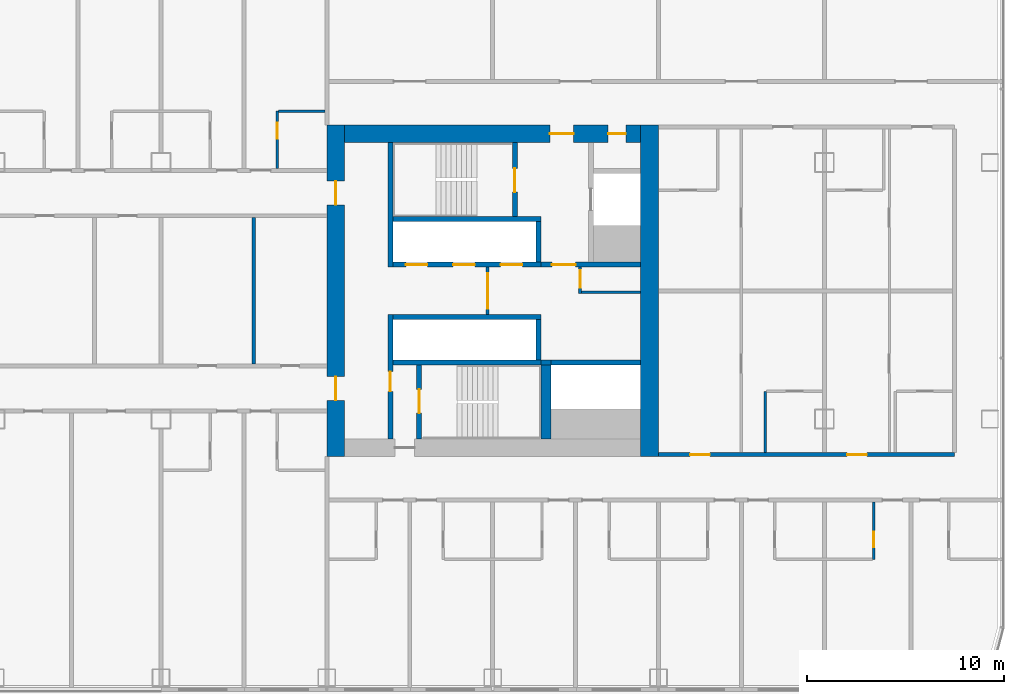
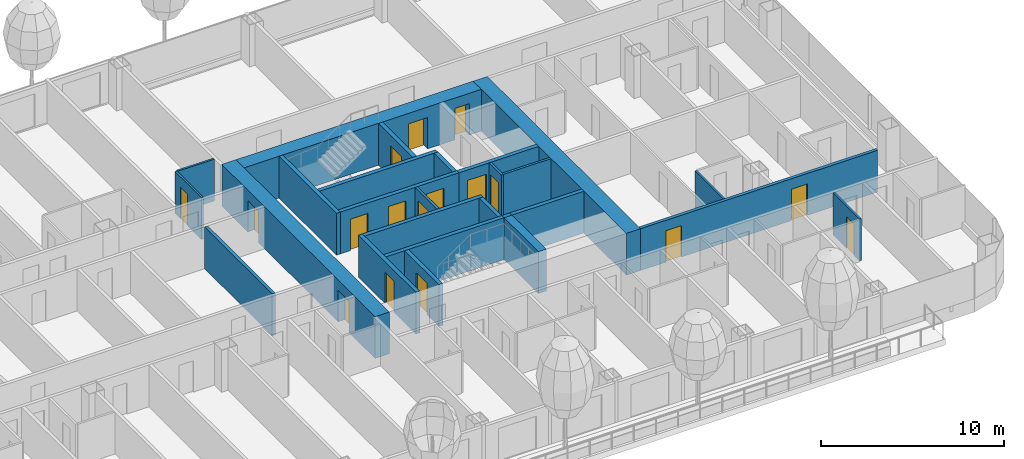
# One storey, part 20 of 37: 26 walls, 17 doors, 17 openings.
"""IFC4 building model written with IfcOpenShell, lengths in metres."""

from ifc_helpers import new_model, si_unit, direction, frame, frame_2d, origin, place, context, subcontext, project, spatial, rectangle, extrude, material, layer, layer_set, type_object, element, fill, save


model = new_model("IFC4")

# Units and contexts
model_context = context("Model", 3, precision=1e-05, world=origin(), true_north=direction((0.0, 1.0)))
body_context = subcontext(model_context, "Body", "Model", "MODEL_VIEW")
ifc_project = project(units=[si_unit("LENGTHUNIT", "METRE"), si_unit("AREAUNIT", "SQUARE_METRE"), si_unit("VOLUMEUNIT", "CUBIC_METRE"), si_unit("PLANEANGLEUNIT", "RADIAN"), si_unit("MASSUNIT", "GRAM", prefix="KILO")], contexts=[model_context])

# Site, building, storey
site_placement = place(None, origin())
site = spatial("IfcSite", under=ifc_project, at=site_placement, CompositionType="ELEMENT")
building_placement = place(site_placement, origin())
building = spatial("IfcBuilding", under=site, at=building_placement, Name="Hakoniwa Tower and Hamabe Station Hall", CompositionType="ELEMENT")
storey_placement = place(building_placement, frame((0.0, 0.0, 39.0)))
storey = spatial("IfcBuildingStorey", under=building, at=storey_placement, Name="L10", CompositionType="ELEMENT", Elevation=39.0)

# Wall
ifc_material_1 = material(Name="Gypsum board partition", Category="gypsum")
ifc_layer_1 = layer(ifc_material_1, 0.125)
ifc_layer_set_1 = layer_set([ifc_layer_1], Name="Bathroom Partition 125")
wall_type_1 = type_object("IfcWallType", Name="Bathroom Partition 125", PredefinedType="PARTITIONING", material=ifc_layer_set_1)
wall_1_placement = place(storey_placement, frame((14.362548828125, 9.10009765625, 0.0), z_axis=(0.0, 0.0, 1.0), x_axis=(1.0, 0.0, 0.0)))
element("IfcWall", 1, at=wall_1_placement, inside=storey, type_object=wall_type_1, Name="GW-L10-037", PredefinedType="PARTITIONING", context=body_context, shape_type="SweptSolid", body=[
    extrude(rectangle(XDim=2.33740234375, YDim=0.125, at=frame_2d((1.168701171875, 0.0))), origin(), (0.0, 0.0, 1.0), 2.800048828125),
])

# Wall, opening, door
wall_2_placement = place(storey_placement, frame((14.300048828125, 6.199951171875, 0.0), z_axis=(0.0, 0.0, 1.0), x_axis=(0.0, 1.0, 0.0)))
wall_2 = element("IfcWall", 2, at=wall_2_placement, inside=storey, type_object=wall_type_1, Name="GW-L10-110", PredefinedType="PARTITIONING", context=body_context, shape_type="SweptSolid", body=[
    extrude(rectangle(XDim=2.900146484375, YDim=0.125, at=frame_2d((1.4501953125, 0.0))), origin(), (0.0, 0.0, 1.0), 2.800048828125),
])
opening_1_placement = place(wall_2_placement, frame((1.5, 0.0, 0.0)))
opening_1 = element("IfcOpeningElement", 3, at=opening_1_placement, cuts=wall_2, Name="Opening GD-G1B1-89", PredefinedType="OPENING", context=body_context, shape_type="SweptSolid", body=[
    extrude(rectangle(XDim=0.800048828125, YDim=2.10009765625, at=frame_2d((0.39990234375, 1.050048828125))), frame((0.0, 0.072509765625, 0.0), z_axis=(0.0, -1.0, 0.0), x_axis=(1.0, 0.0, 0.0)), (0.0, 0.0, 1.0), 0.14501953125),
])
ifc_material_2 = material(Name="Timber door leaf", Category="wood")
door_type_1 = type_object("IfcDoorType", Name="Bathroom Door 800", OperationType="SINGLE_SWING_LEFT", PredefinedType="DOOR", material=ifc_material_2)
door_1_placement = place(opening_1_placement, origin())
door_1 = element("IfcDoor", 4, at=door_1_placement, inside=storey, type_object=door_type_1, Name="Door GD-G1B1-89", OperationType="SINGLE_SWING_RIGHT", OverallHeight=2.10009765625, OverallWidth=0.800048828125, PredefinedType="DOOR", context=body_context, shape_type="SweptSolid", body=[
    extrude(rectangle(XDim=0.800048828125, YDim=2.10009765625, at=frame_2d((0.39990234375, 1.050048828125))), frame((0.0, 0.02490234375, 0.0), z_axis=(0.0, -1.0, 0.0), x_axis=(1.0, 0.0, 0.0)), (0.0, 0.0, 1.0), 0.050048828125),
])
fill(opening_1, door_1)

# Wall
wall_3_placement = place(storey_placement, frame((39.0, -8.199951171875, 0.0), z_axis=(0.0, 0.0, 1.0), x_axis=(0.0, 1.0, 0.0)))
element("IfcWall", 5, at=wall_3_placement, inside=storey, type_object=wall_type_1, Name="GW-L10-127", PredefinedType="PARTITIONING", context=body_context, shape_type="SweptSolid", body=[
    extrude(rectangle(XDim=3.099853515625, YDim=0.125, at=frame_2d((1.5498046875, 0.0))), origin(), (0.0, 0.0, 1.0), 2.800048828125),
])

# Wall, opening, door
wall_4_placement = place(storey_placement, frame((44.5, -13.60009765625, 0.0), z_axis=(0.0, 0.0, 1.0), x_axis=(0.0, 1.0, 0.0)))
wall_4 = element("IfcWall", 6, at=wall_4_placement, inside=storey, type_object=wall_type_1, Name="GW-L10-132", PredefinedType="PARTITIONING", context=body_context, shape_type="SweptSolid", body=[
    extrude(rectangle(XDim=2.900146484375, YDim=0.125, at=frame_2d((1.4501953125, 0.0))), origin(), (0.0, 0.0, 1.0), 2.800048828125),
])
opening_2_placement = place(wall_4_placement, frame((0.60009765625, 0.0, 0.0)))
opening_2 = element("IfcOpeningElement", 7, at=opening_2_placement, cuts=wall_4, Name="Opening GD-G1B1-98", PredefinedType="OPENING", context=body_context, shape_type="SweptSolid", body=[
    extrude(rectangle(XDim=0.800048828125, YDim=2.10009765625, at=frame_2d((0.39990234375, 1.050048828125))), frame((0.0, 0.072509765625, 0.0), z_axis=(0.0, -1.0, 0.0), x_axis=(1.0, 0.0, 0.0)), (0.0, 0.0, 1.0), 0.14501953125),
])
door_2_placement = place(opening_2_placement, origin())
door_2 = element("IfcDoor", 8, at=door_2_placement, inside=storey, type_object=door_type_1, Name="Door GD-G1B1-98", OperationType="SINGLE_SWING_RIGHT", OverallHeight=2.10009765625, OverallWidth=0.800048828125, PredefinedType="DOOR", context=body_context, shape_type="SweptSolid", body=[
    extrude(rectangle(XDim=0.800048828125, YDim=2.10009765625, at=frame_2d((0.39990234375, 1.050048828125))), frame((0.0, 0.02490234375, 0.0), z_axis=(0.0, -1.0, 0.0), x_axis=(1.0, 0.0, 0.0)), (0.0, 0.0, 1.0), 0.050048828125),
])
fill(opening_2, door_2)

ifc_material_3 = material(Name="Gypsum board partition")
ifc_layer_2 = layer(ifc_material_3, 0.14990234375)
ifc_layer_set_2 = layer_set([ifc_layer_2], Name="CORE PARTITION 150 EI 60")
wall_type_2 = type_object("IfcWallType", Name="CORE PARTITION 150 EI 60", PredefinedType="PARTITIONING", material=ifc_layer_set_2)
wall_5_placement = place(storey_placement, frame((24.949951171875, -1.199951171875, 0.0), z_axis=(0.0, 0.0, 1.0), x_axis=(0.0, 1.0, 0.0)))
wall_5 = element("IfcWall", 9, at=wall_5_placement, inside=storey, type_object=wall_type_2, Name="Core partition PL0 east", PredefinedType="PARTITIONING", context=body_context, shape_type="SweptSolid", body=[
    extrude(rectangle(XDim=2.39990234375, YDim=0.14990234375, at=frame_2d((1.199951171875, 0.0))), origin(), (0.0, 0.0, 1.0), 2.800048828125),
])
opening_3_placement = place(wall_5_placement, frame((0.300048828125, 0.0, 0.0)))
opening_3 = element("IfcOpeningElement", 10, at=opening_3_placement, cuts=wall_5, Name="Opening CD-E-LP0-18", PredefinedType="OPENING", context=body_context, shape_type="SweptSolid", body=[
    extrude(rectangle(XDim=1.800048828125, YDim=2.10009765625, at=frame_2d((0.89990234375, 1.050048828125))), frame((0.0, 0.0849609375, 0.0), z_axis=(0.0, -1.0, 0.0), x_axis=(1.0, 0.0, 0.0)), (0.0, 0.0, 1.0), 0.169921875),
])
ifc_material_4 = material(Name="Steel fire door", Category="steel")
door_type_2 = type_object("IfcDoorType", Name="CORE DOOR 1800 FD60", OperationType="DOUBLE_DOOR_SINGLE_SWING", PredefinedType="DOOR", material=ifc_material_4)
door_3_placement = place(opening_3_placement, origin())
door_3 = element("IfcDoor", 11, at=door_3_placement, inside=storey, type_object=door_type_2, Name="Lift lobby partition door", OperationType="DOUBLE_DOOR_SINGLE_SWING", OverallHeight=2.10009765625, OverallWidth=1.800048828125, PredefinedType="DOOR", context=body_context, shape_type="SweptSolid", body=[
    extrude(rectangle(XDim=1.800048828125, YDim=2.10009765625, at=frame_2d((0.89990234375, 1.050048828125))), frame((0.0, 0.02490234375, 0.0), z_axis=(0.0, -1.0, 0.0), x_axis=(1.0, 0.0, 0.0)), (0.0, 0.0, 1.0), 0.050048828125),
])
fill(opening_3, door_3)

wall_6_placement = place(storey_placement, frame((29.625, -0.14990234375, 0.0), z_axis=(0.0, 0.0, 1.0), x_axis=(0.0, 1.0, 0.0)))
wall_6 = element("IfcWall", 12, at=wall_6_placement, inside=storey, type_object=wall_type_2, Name="Core partition PW0 east", PredefinedType="PARTITIONING", context=body_context, shape_type="SweptSolid", body=[
    extrude(rectangle(XDim=1.349853515625, YDim=0.14990234375, at=frame_2d((0.6748046875, 0.0))), origin(), (0.0, 0.0, 1.0), 2.800048828125),
])
opening_4_placement = place(wall_6_placement, frame((0.300048828125, 0.0, 0.0)))
opening_4 = element("IfcOpeningElement", 13, at=opening_4_placement, cuts=wall_6, Name="Opening CD-E-RM1-9", PredefinedType="OPENING", context=body_context, shape_type="SweptSolid", body=[
    extrude(rectangle(XDim=0.89990234375, YDim=2.10009765625, at=frame_2d((0.449951171875, 1.050048828125))), frame((0.0, 0.0849609375, 0.0), z_axis=(0.0, -1.0, 0.0), x_axis=(1.0, 0.0, 0.0)), (0.0, 0.0, 1.0), 0.169921875),
])
ifc_material_5 = material(Name="Steel fire door", Category="steel")
door_type_3 = type_object("IfcDoorType", Name="CORE DOOR 900 FD30", OperationType="NOTDEFINED", PredefinedType="DOOR", material=ifc_material_5)
door_4_placement = place(opening_4_placement, origin())
door_4 = element("IfcDoor", 14, at=door_4_placement, inside=storey, type_object=door_type_3, Name="Store room door", OperationType="SINGLE_SWING_LEFT", OverallHeight=2.10009765625, OverallWidth=0.89990234375, PredefinedType="DOOR", context=body_context, shape_type="SweptSolid", body=[
    extrude(rectangle(XDim=0.89990234375, YDim=2.10009765625, at=frame_2d((0.449951171875, 1.050048828125))), frame((0.0, 0.02490234375, 0.0), z_axis=(0.0, -1.0, 0.0), x_axis=(1.0, 0.0, 0.0)), (0.0, 0.0, 1.0), 0.050048828125),
])
fill(opening_4, door_4)

# Wall
wall_7_placement = place(storey_placement, frame((29.699951171875, -0.074951171875, 0.0), z_axis=(0.0, 0.0, 1.0), x_axis=(1.0, 0.0, 0.0)))
element("IfcWall", 15, at=wall_7_placement, inside=storey, type_object=wall_type_2, Name="Core partition PS east", PredefinedType="PARTITIONING", context=body_context, shape_type="SweptSolid", body=[
    extrude(rectangle(XDim=3.0, YDim=0.14990234375, at=frame_2d((1.5, 0.0))), origin(), (0.0, 0.0, 1.0), 2.800048828125),
])

# Wall, openings, doors
ifc_material_6 = material(Name="Concrete C80", Category="concrete")
ifc_layer_3 = layer(ifc_material_6, 0.89990234375)
ifc_layer_set_3 = layer_set([ifc_layer_3], Name="CORE WALL 900 C80")
wall_type_3 = type_object("IfcWallType", Name="CORE WALL 900 C80", PredefinedType="SHEAR", material=ifc_layer_set_3)
wall_8_placement = place(storey_placement, frame((17.25, -8.39990234375, 0.0), z_axis=(0.0, 0.0, 1.0), x_axis=(0.0, 1.0, 0.0)))
wall_8 = element("IfcWall", 16, at=wall_8_placement, inside=storey, type_object=wall_type_3, Name="Core wall INNER east", PredefinedType="SHEAR", context=body_context, shape_type="SweptSolid", body=[
    extrude(rectangle(XDim=16.7998046875, YDim=0.89990234375, at=frame_2d((8.39990234375, 0.0))), origin(), (0.0, 0.0, 1.0), 2.800048828125),
])
opening_5_placement = place(wall_8_placement, frame((12.75, 0.0, 0.0)))
opening_5 = element("IfcOpeningElement", 17, at=opening_5_placement, cuts=wall_8, Name="Opening CD-E-IN1-12", PredefinedType="OPENING", context=body_context, shape_type="SweptSolid", body=[
    extrude(rectangle(XDim=1.199951171875, YDim=2.10009765625, at=frame_2d((0.60009765625, 1.050048828125))), frame((0.0, 0.4599609375, 0.0), z_axis=(0.0, -1.0, 0.0), x_axis=(1.0, 0.0, 0.0)), (0.0, 0.0, 1.0), 0.919921875),
])
opening_6_placement = place(wall_8_placement, frame((2.85009765625, 0.0, 0.0)))
opening_6 = element("IfcOpeningElement", 18, at=opening_6_placement, cuts=wall_8, Name="Opening CD-E-IN2-12", PredefinedType="OPENING", context=body_context, shape_type="SweptSolid", body=[
    extrude(rectangle(XDim=1.199951171875, YDim=2.10009765625, at=frame_2d((0.60009765625, 1.050048828125))), frame((0.0, 0.4599609375, 0.0), z_axis=(0.0, -1.0, 0.0), x_axis=(1.0, 0.0, 0.0)), (0.0, 0.0, 1.0), 0.919921875),
])
ifc_material_7 = material(Name="Steel fire door", Category="steel")
door_type_4 = type_object("IfcDoorType", Name="CORE DOOR 1200 FD60", OperationType="DOUBLE_DOOR_SINGLE_SWING", PredefinedType="DOOR", material=ifc_material_7)
door_5_placement = place(opening_5_placement, origin())
door_5 = element("IfcDoor", 19, at=door_5_placement, inside=storey, type_object=door_type_4, Name="Lift lobby door", OperationType="DOUBLE_DOOR_SINGLE_SWING", OverallHeight=2.10009765625, OverallWidth=1.199951171875, PredefinedType="DOOR", context=body_context, shape_type="SweptSolid", body=[
    extrude(rectangle(XDim=1.199951171875, YDim=2.10009765625, at=frame_2d((0.60009765625, 1.050048828125))), frame((0.0, 0.02490234375, 0.0), z_axis=(0.0, -1.0, 0.0), x_axis=(1.0, 0.0, 0.0)), (0.0, 0.0, 1.0), 0.050048828125),
])
fill(opening_5, door_5)
door_6_placement = place(opening_6_placement, origin())
door_6 = element("IfcDoor", 20, at=door_6_placement, inside=storey, type_object=door_type_4, Name="Lift lobby door", OperationType="DOUBLE_DOOR_SINGLE_SWING", OverallHeight=2.10009765625, OverallWidth=1.199951171875, PredefinedType="DOOR", context=body_context, shape_type="SweptSolid", body=[
    extrude(rectangle(XDim=1.199951171875, YDim=2.10009765625, at=frame_2d((0.60009765625, 1.050048828125))), frame((0.0, 0.02490234375, 0.0), z_axis=(0.0, -1.0, 0.0), x_axis=(1.0, 0.0, 0.0)), (0.0, 0.0, 1.0), 0.050048828125),
])
fill(opening_6, door_6)

# Wall
wall_9_placement = place(storey_placement, frame((33.14990234375, -8.39990234375, 0.0), z_axis=(0.0, 0.0, 1.0), x_axis=(0.0, 1.0, 0.0)))
element("IfcWall", 21, at=wall_9_placement, inside=storey, type_object=wall_type_3, Name="Core wall OUTER east", PredefinedType="SHEAR", context=body_context, shape_type="SweptSolid", body=[
    extrude(rectangle(XDim=16.7998046875, YDim=0.89990234375, at=frame_2d((8.39990234375, 0.0))), origin(), (0.0, 0.0, 1.0), 2.800048828125),
])

# Wall, openings, doors
wall_10_placement = place(storey_placement, frame((17.699951171875, 7.949951171875, 0.0), z_axis=(0.0, 0.0, 1.0), x_axis=(1.0, 0.0, 0.0)))
wall_10 = element("IfcWall", 22, at=wall_10_placement, inside=storey, type_object=wall_type_3, Name="Core wall NORTH east", PredefinedType="SHEAR", context=body_context, shape_type="SweptSolid", body=[
    extrude(rectangle(XDim=15.0, YDim=0.89990234375, at=frame_2d((7.5, 0.0))), origin(), (0.0, 0.0, 1.0), 2.800048828125),
])
opening_7_placement = place(wall_10_placement, frame((10.39990234375, 0.0, 0.0)))
opening_7 = element("IfcOpeningElement", 23, at=opening_7_placement, cuts=wall_10, Name="Opening CD-E-FN1-12", PredefinedType="OPENING", context=body_context, shape_type="SweptSolid", body=[
    extrude(rectangle(XDim=1.199951171875, YDim=2.10009765625, at=frame_2d((0.60009765625, 1.050048828125))), frame((0.0, 0.4599609375, 0.0), z_axis=(0.0, -1.0, 0.0), x_axis=(1.0, 0.0, 0.0)), (0.0, 0.0, 1.0), 0.919921875),
])
opening_8_placement = place(wall_10_placement, frame((13.35009765625, 0.0, 0.0)))
opening_8 = element("IfcOpeningElement", 24, at=opening_8_placement, cuts=wall_10, Name="Opening CD-E-FN2-9", PredefinedType="OPENING", context=body_context, shape_type="SweptSolid", body=[
    extrude(rectangle(XDim=0.89990234375, YDim=2.10009765625, at=frame_2d((0.449951171875, 1.050048828125))), frame((0.0, 0.4599609375, 0.0), z_axis=(0.0, -1.0, 0.0), x_axis=(1.0, 0.0, 0.0)), (0.0, 0.0, 1.0), 0.919921875),
])
door_7_placement = place(opening_7_placement, origin())
door_7 = element("IfcDoor", 25, at=door_7_placement, inside=storey, type_object=door_type_4, Name="Stair vestibule door to the fire-fighting lobby", OperationType="DOUBLE_DOOR_SINGLE_SWING", OverallHeight=2.10009765625, OverallWidth=1.199951171875, PredefinedType="DOOR", context=body_context, shape_type="SweptSolid", body=[
    extrude(rectangle(XDim=1.199951171875, YDim=2.10009765625, at=frame_2d((0.60009765625, 1.050048828125))), frame((0.0, 0.02490234375, 0.0), z_axis=(0.0, -1.0, 0.0), x_axis=(1.0, 0.0, 0.0)), (0.0, 0.0, 1.0), 0.050048828125),
])
fill(opening_7, door_7)
door_8_placement = place(opening_8_placement, origin())
door_8 = element("IfcDoor", 26, at=door_8_placement, inside=storey, type_object=door_type_3, Name="Riser access door", OperationType="SINGLE_SWING_LEFT", OverallHeight=2.10009765625, OverallWidth=0.89990234375, PredefinedType="DOOR", context=body_context, shape_type="SweptSolid", body=[
    extrude(rectangle(XDim=0.89990234375, YDim=2.10009765625, at=frame_2d((0.449951171875, 1.050048828125))), frame((0.0, 0.02490234375, 0.0), z_axis=(0.0, -1.0, 0.0), x_axis=(1.0, 0.0, 0.0)), (0.0, 0.0, 1.0), 0.050048828125),
])
fill(opening_8, door_8)

# Wall
ifc_material_8 = material(Name="Concrete C80", Category="concrete")
ifc_layer_4 = layer(ifc_material_8, 0.25)
ifc_layer_set_4 = layer_set([ifc_layer_4], Name="CORE WEB WALL 250 C80")
wall_type_4 = type_object("IfcWallType", Name="CORE WEB WALL 250 C80", PredefinedType="SHEAR", material=ifc_layer_set_4)
wall_11_placement = place(storey_placement, frame((20.02490234375, 1.199951171875, 0.0), z_axis=(0.0, 0.0, 1.0), x_axis=(0.0, 1.0, 0.0)))
element("IfcWall", 27, at=wall_11_placement, inside=storey, type_object=wall_type_4, Name="Core wall W1N east", PredefinedType="SHEAR", context=body_context, shape_type="SweptSolid", body=[
    extrude(rectangle(XDim=6.300048828125, YDim=0.25, at=frame_2d((3.14990234375, 0.0))), origin(), (0.0, 0.0, 1.0), 2.800048828125),
])

# Wall, opening, door
wall_12_placement = place(storey_placement, frame((20.02490234375, -7.5, 0.0), z_axis=(0.0, 0.0, 1.0), x_axis=(0.0, 1.0, 0.0)))
wall_12 = element("IfcWall", 28, at=wall_12_placement, inside=storey, type_object=wall_type_4, Name="Core wall W1S east", PredefinedType="SHEAR", context=body_context, shape_type="SweptSolid", body=[
    extrude(rectangle(XDim=6.300048828125, YDim=0.25, at=frame_2d((3.14990234375, 0.0))), origin(), (0.0, 0.0, 1.0), 2.800048828125),
])
opening_9_placement = place(wall_12_placement, frame((2.39990234375, 0.0, 0.0)))
opening_9 = element("IfcOpeningElement", 29, at=opening_9_placement, cuts=wall_12, Name="Opening CD-E-VS-10", PredefinedType="OPENING", context=body_context, shape_type="SweptSolid", body=[
    extrude(rectangle(XDim=1.0, YDim=2.10009765625, at=frame_2d((0.5, 1.050048828125))), frame((0.0, 0.135009765625, 0.0), z_axis=(0.0, -1.0, 0.0), x_axis=(1.0, 0.0, 0.0)), (0.0, 0.0, 1.0), 0.27001953125),
])
ifc_material_9 = material(Name="Steel fire door", Category="steel")
door_type_5 = type_object("IfcDoorType", Name="CORE DOOR 1000 FD60", OperationType="NOTDEFINED", PredefinedType="DOOR", material=ifc_material_9)
door_9_placement = place(opening_9_placement, origin())
door_9 = element("IfcDoor", 30, at=door_9_placement, inside=storey, type_object=door_type_5, Name="Stair vestibule door", OperationType="SINGLE_SWING_RIGHT", OverallHeight=2.10009765625, OverallWidth=1.0, PredefinedType="DOOR", context=body_context, shape_type="SweptSolid", body=[
    extrude(rectangle(XDim=1.0, YDim=2.10009765625, at=frame_2d((0.5, 1.050048828125))), frame((0.0, 0.02490234375, 0.0), z_axis=(0.0, -1.0, 0.0), x_axis=(1.0, 0.0, 0.0)), (0.0, 0.0, 1.0), 0.050048828125),
])
fill(opening_9, door_9)

# Wall, openings, doors
wall_13_placement = place(storey_placement, frame((20.14990234375, 1.324951171875, 0.0), z_axis=(0.0, 0.0, 1.0), x_axis=(1.0, 0.0, 0.0)))
wall_13 = element("IfcWall", 31, at=wall_13_placement, inside=storey, type_object=wall_type_4, Name="Core wall NF east", PredefinedType="SHEAR", context=body_context, shape_type="SweptSolid", body=[
    extrude(rectangle(XDim=7.5, YDim=0.25, at=frame_2d((3.75, 0.0))), origin(), (0.0, 0.0, 1.0), 2.800048828125),
])
opening_10_placement = place(wall_13_placement, frame((0.64990234375, 0.0, 0.0)))
opening_10 = element("IfcOpeningElement", 32, at=opening_10_placement, cuts=wall_13, Name="Opening LD-LR4", PredefinedType="OPENING", context=body_context, shape_type="SweptSolid", body=[
    extrude(rectangle(XDim=1.10009765625, YDim=2.10009765625, at=frame_2d((0.550048828125, 1.050048828125))), frame((0.0, 0.135009765625, 0.0), z_axis=(0.0, -1.0, 0.0), x_axis=(1.0, 0.0, 0.0)), (0.0, 0.0, 1.0), 0.27001953125),
])
opening_11_placement = place(wall_13_placement, frame((3.050048828125, 0.0, 0.0)))
opening_11 = element("IfcOpeningElement", 33, at=opening_11_placement, cuts=wall_13, Name="Opening LD-LR5", PredefinedType="OPENING", context=body_context, shape_type="SweptSolid", body=[
    extrude(rectangle(XDim=1.10009765625, YDim=2.10009765625, at=frame_2d((0.550048828125, 1.050048828125))), frame((0.0, 0.135009765625, 0.0), z_axis=(0.0, -1.0, 0.0), x_axis=(1.0, 0.0, 0.0)), (0.0, 0.0, 1.0), 0.27001953125),
])
opening_12_placement = place(wall_13_placement, frame((5.449951171875, 0.0, 0.0)))
opening_12 = element("IfcOpeningElement", 34, at=opening_12_placement, cuts=wall_13, Name="Opening LD-LR6", PredefinedType="OPENING", context=body_context, shape_type="SweptSolid", body=[
    extrude(rectangle(XDim=1.10009765625, YDim=2.10009765625, at=frame_2d((0.550048828125, 1.050048828125))), frame((0.0, 0.135009765625, 0.0), z_axis=(0.0, -1.0, 0.0), x_axis=(1.0, 0.0, 0.0)), (0.0, 0.0, 1.0), 0.27001953125),
])
ifc_material_10 = material(Name="Stainless steel SUS304", Category="steel")
door_type_6 = type_object("IfcDoorType", Name="LIFT LANDING DOOR 1100 FD60", OperationType="DOUBLE_DOOR_SLIDING", PredefinedType="DOOR", material=ifc_material_10)
door_10_placement = place(opening_10_placement, origin())
door_10 = element("IfcDoor", 35, at=door_10_placement, inside=storey, type_object=door_type_6, Name="Lift landing door LR4 L10", OperationType="DOUBLE_DOOR_SLIDING", OverallHeight=2.10009765625, OverallWidth=1.10009765625, PredefinedType="DOOR", context=body_context, shape_type="SweptSolid", body=[
    extrude(rectangle(XDim=1.10009765625, YDim=2.10009765625, at=frame_2d((0.550048828125, 1.050048828125))), frame((0.0, 0.02490234375, 0.0), z_axis=(0.0, -1.0, 0.0), x_axis=(1.0, 0.0, 0.0)), (0.0, 0.0, 1.0), 0.050048828125),
])
fill(opening_10, door_10)
door_11_placement = place(opening_11_placement, origin())
door_11 = element("IfcDoor", 36, at=door_11_placement, inside=storey, type_object=door_type_6, Name="Lift landing door LR5 L10", OperationType="DOUBLE_DOOR_SLIDING", OverallHeight=2.10009765625, OverallWidth=1.10009765625, PredefinedType="DOOR", context=body_context, shape_type="SweptSolid", body=[
    extrude(rectangle(XDim=1.10009765625, YDim=2.10009765625, at=frame_2d((0.550048828125, 1.050048828125))), frame((0.0, 0.02490234375, 0.0), z_axis=(0.0, -1.0, 0.0), x_axis=(1.0, 0.0, 0.0)), (0.0, 0.0, 1.0), 0.050048828125),
])
fill(opening_11, door_11)
door_12_placement = place(opening_12_placement, origin())
door_12 = element("IfcDoor", 37, at=door_12_placement, inside=storey, type_object=door_type_6, Name="Lift landing door LR6 L10", OperationType="DOUBLE_DOOR_SLIDING", OverallHeight=2.10009765625, OverallWidth=1.10009765625, PredefinedType="DOOR", context=body_context, shape_type="SweptSolid", body=[
    extrude(rectangle(XDim=1.10009765625, YDim=2.10009765625, at=frame_2d((0.550048828125, 1.050048828125))), frame((0.0, 0.02490234375, 0.0), z_axis=(0.0, -1.0, 0.0), x_axis=(1.0, 0.0, 0.0)), (0.0, 0.0, 1.0), 0.050048828125),
])
fill(opening_12, door_12)

# Walls
wall_14_placement = place(storey_placement, frame((27.52490234375, 1.449951171875, 0.0), z_axis=(0.0, 0.0, 1.0), x_axis=(0.0, 1.0, 0.0)))
element("IfcWall", 38, at=wall_14_placement, inside=storey, type_object=wall_type_4, Name="Core wall NE east", PredefinedType="SHEAR", context=body_context, shape_type="SweptSolid", body=[
    extrude(rectangle(XDim=2.050048828125, YDim=0.25, at=frame_2d((1.02490234375, 0.0))), origin(), (0.0, 0.0, 1.0), 2.800048828125),
])
wall_15_placement = place(storey_placement, frame((20.14990234375, 3.625, 0.0), z_axis=(0.0, 0.0, 1.0), x_axis=(1.0, 0.0, 0.0)))
element("IfcWall", 39, at=wall_15_placement, inside=storey, type_object=wall_type_4, Name="Core wall NR east", PredefinedType="SHEAR", context=body_context, shape_type="SweptSolid", body=[
    extrude(rectangle(XDim=7.5, YDim=0.25, at=frame_2d((3.75, 0.0))), origin(), (0.0, 0.0, 1.0), 2.800048828125),
])

# Wall, opening, door
wall_16_placement = place(storey_placement, frame((26.324951171875, 3.75, 0.0), z_axis=(0.0, 0.0, 1.0), x_axis=(0.0, 1.0, 0.0)))
wall_16 = element("IfcWall", 40, at=wall_16_placement, inside=storey, type_object=wall_type_4, Name="Core wall NSE east", PredefinedType="SHEAR", context=body_context, shape_type="SweptSolid", body=[
    extrude(rectangle(XDim=3.75, YDim=0.25, at=frame_2d((1.875, 0.0))), origin(), (0.0, 0.0, 1.0), 2.800048828125),
])
opening_13_placement = place(wall_16_placement, frame((1.25, 0.0, 0.0)))
opening_13 = element("IfcOpeningElement", 41, at=opening_13_placement, cuts=wall_16, Name="Opening CD-E-SN-12", PredefinedType="OPENING", context=body_context, shape_type="SweptSolid", body=[
    extrude(rectangle(XDim=1.199951171875, YDim=2.10009765625, at=frame_2d((0.60009765625, 1.050048828125))), frame((0.0, 0.135009765625, 0.0), z_axis=(0.0, -1.0, 0.0), x_axis=(1.0, 0.0, 0.0)), (0.0, 0.0, 1.0), 0.27001953125),
])
door_13_placement = place(opening_13_placement, origin())
door_13 = element("IfcDoor", 42, at=door_13_placement, inside=storey, type_object=door_type_4, Name="Escape stair door", OperationType="DOUBLE_DOOR_SINGLE_SWING", OverallHeight=2.10009765625, OverallWidth=1.199951171875, PredefinedType="DOOR", context=body_context, shape_type="SweptSolid", body=[
    extrude(rectangle(XDim=1.199951171875, YDim=2.10009765625, at=frame_2d((0.60009765625, 1.050048828125))), frame((0.0, 0.02490234375, 0.0), z_axis=(0.0, -1.0, 0.0), x_axis=(1.0, 0.0, 0.0)), (0.0, 0.0, 1.0), 0.050048828125),
])
fill(opening_13, door_13)

wall_17_placement = place(storey_placement, frame((27.64990234375, 1.324951171875, 0.0), z_axis=(0.0, 0.0, 1.0), x_axis=(1.0, 0.0, 0.0)))
wall_17 = element("IfcWall", 43, at=wall_17_placement, inside=storey, type_object=wall_type_4, Name="Core wall ELN east", PredefinedType="SHEAR", context=body_context, shape_type="SweptSolid", body=[
    extrude(rectangle(XDim=5.050048828125, YDim=0.25, at=frame_2d((2.52490234375, 0.0))), origin(), (0.0, 0.0, 1.0), 2.800048828125),
])
opening_14_placement = place(wall_17_placement, frame((0.550048828125, 0.0, 0.0)))
opening_14 = element("IfcOpeningElement", 44, at=opening_14_placement, cuts=wall_17, Name="Opening CD-E-FL-12", PredefinedType="OPENING", context=body_context, shape_type="SweptSolid", body=[
    extrude(rectangle(XDim=1.199951171875, YDim=2.10009765625, at=frame_2d((0.60009765625, 1.050048828125))), frame((0.0, 0.135009765625, 0.0), z_axis=(0.0, -1.0, 0.0), x_axis=(1.0, 0.0, 0.0)), (0.0, 0.0, 1.0), 0.27001953125),
])
door_14_placement = place(opening_14_placement, origin())
door_14 = element("IfcDoor", 45, at=door_14_placement, inside=storey, type_object=door_type_4, Name="Stair vestibule door to the fire-fighting lobby", OperationType="DOUBLE_DOOR_SINGLE_SWING", OverallHeight=2.10009765625, OverallWidth=1.199951171875, PredefinedType="DOOR", context=body_context, shape_type="SweptSolid", body=[
    extrude(rectangle(XDim=1.199951171875, YDim=2.10009765625, at=frame_2d((0.60009765625, 1.050048828125))), frame((0.0, 0.02490234375, 0.0), z_axis=(0.0, -1.0, 0.0), x_axis=(1.0, 0.0, 0.0)), (0.0, 0.0, 1.0), 0.050048828125),
])
fill(opening_14, door_14)

# Walls
wall_18_placement = place(storey_placement, frame((20.14990234375, -1.324951171875, 0.0), z_axis=(0.0, 0.0, 1.0), x_axis=(1.0, 0.0, 0.0)))
element("IfcWall", 46, at=wall_18_placement, inside=storey, type_object=wall_type_4, Name="Core wall SF east", PredefinedType="SHEAR", context=body_context, shape_type="SweptSolid", body=[
    extrude(rectangle(XDim=7.5, YDim=0.25, at=frame_2d((3.75, 0.0))), origin(), (0.0, 0.0, 1.0), 2.800048828125),
])
wall_19_placement = place(storey_placement, frame((27.52490234375, -3.5, 0.0), z_axis=(0.0, 0.0, 1.0), x_axis=(0.0, 1.0, 0.0)))
element("IfcWall", 47, at=wall_19_placement, inside=storey, type_object=wall_type_4, Name="Core wall SE east", PredefinedType="SHEAR", context=body_context, shape_type="SweptSolid", body=[
    extrude(rectangle(XDim=2.050048828125, YDim=0.25, at=frame_2d((1.02490234375, 0.0))), origin(), (0.0, 0.0, 1.0), 2.800048828125),
])
wall_20_placement = place(storey_placement, frame((20.14990234375, -3.625, 0.0), z_axis=(0.0, 0.0, 1.0), x_axis=(1.0, 0.0, 0.0)))
element("IfcWall", 48, at=wall_20_placement, inside=storey, type_object=wall_type_4, Name="Core wall SR east", PredefinedType="SHEAR", context=body_context, shape_type="SweptSolid", body=[
    extrude(rectangle(XDim=7.5, YDim=0.25, at=frame_2d((3.75, 0.0))), origin(), (0.0, 0.0, 1.0), 2.800048828125),
])

# Wall, opening, door
wall_21_placement = place(storey_placement, frame((21.47509765625, -7.5, 0.0), z_axis=(0.0, 0.0, 1.0), x_axis=(0.0, 1.0, 0.0)))
wall_21 = element("IfcWall", 49, at=wall_21_placement, inside=storey, type_object=wall_type_4, Name="Core wall VE east", PredefinedType="SHEAR", context=body_context, shape_type="SweptSolid", body=[
    extrude(rectangle(XDim=3.75, YDim=0.25, at=frame_2d((1.875, 0.0))), origin(), (0.0, 0.0, 1.0), 2.800048828125),
])
opening_15_placement = place(wall_21_placement, frame((1.300048828125, 0.0, 0.0)))
opening_15 = element("IfcOpeningElement", 50, at=opening_15_placement, cuts=wall_21, Name="Opening CD-E-SS-12", PredefinedType="OPENING", context=body_context, shape_type="SweptSolid", body=[
    extrude(rectangle(XDim=1.199951171875, YDim=2.10009765625, at=frame_2d((0.60009765625, 1.050048828125))), frame((0.0, 0.135009765625, 0.0), z_axis=(0.0, -1.0, 0.0), x_axis=(1.0, 0.0, 0.0)), (0.0, 0.0, 1.0), 0.27001953125),
])
door_15_placement = place(opening_15_placement, origin())
door_15 = element("IfcDoor", 51, at=door_15_placement, inside=storey, type_object=door_type_4, Name="Escape stair door", OperationType="DOUBLE_DOOR_SINGLE_SWING", OverallHeight=2.10009765625, OverallWidth=1.199951171875, PredefinedType="DOOR", context=body_context, shape_type="SweptSolid", body=[
    extrude(rectangle(XDim=1.199951171875, YDim=2.10009765625, at=frame_2d((0.60009765625, 1.050048828125))), frame((0.0, 0.02490234375, 0.0), z_axis=(0.0, -1.0, 0.0), x_axis=(1.0, 0.0, 0.0)), (0.0, 0.0, 1.0), 0.050048828125),
])
fill(opening_15, door_15)

# Walls
wall_22_placement = place(storey_placement, frame((28.14990234375, -3.625, 0.0), z_axis=(0.0, 0.0, 1.0), x_axis=(1.0, 0.0, 0.0)))
element("IfcWall", 52, at=wall_22_placement, inside=storey, type_object=wall_type_4, Name="Core wall SEF east", PredefinedType="SHEAR", context=body_context, shape_type="SweptSolid", body=[
    extrude(rectangle(XDim=4.550048828125, YDim=0.25, at=frame_2d((2.27490234375, 0.0))), origin(), (0.0, 0.0, 1.0), 2.800048828125),
])
wall_23_placement = place(storey_placement, frame((27.64990234375, -3.625, 0.0), z_axis=(0.0, 0.0, 1.0), x_axis=(1.0, 0.0, 0.0)))
element("IfcWall", 53, at=wall_23_placement, inside=storey, type_object=wall_type_4, Name="Core wall SRK east", PredefinedType="SHEAR", context=body_context, shape_type="SweptSolid", body=[
    extrude(rectangle(XDim=0.5, YDim=0.25, at=frame_2d((0.25, 0.0))), origin(), (0.0, 0.0, 1.0), 2.800048828125),
])
ifc_material_11 = material(Name="Concrete C80", Category="concrete")
ifc_layer_5 = layer(ifc_material_11, 0.5)
ifc_layer_set_5 = layer_set([ifc_layer_5], Name="CORE WEB WALL 500 C80")
wall_type_5 = type_object("IfcWallType", Name="CORE WEB WALL 500 C80", PredefinedType="SHEAR", material=ifc_layer_set_5)
wall_24_placement = place(storey_placement, frame((27.89990234375, -7.5, 0.0), z_axis=(0.0, 0.0, 1.0), x_axis=(0.0, 1.0, 0.0)))
element("IfcWall", 54, at=wall_24_placement, inside=storey, type_object=wall_type_5, Name="Core wall SSE east", PredefinedType="SHEAR", context=body_context, shape_type="SweptSolid", body=[
    extrude(rectangle(XDim=3.75, YDim=0.5, at=frame_2d((1.875, 0.0))), origin(), (0.0, 0.0, 1.0), 2.800048828125),
])

# Wall, openings, doors
ifc_material_12 = material(Name="Fire-rated gypsum board partition", Category="gypsum")
ifc_layer_6 = layer(ifc_material_12, 0.199951171875)
ifc_layer_set_6 = layer_set([ifc_layer_6], Name="Corridor Wall 200")
wall_type_6 = type_object("IfcWallType", Name="Corridor Wall 200", PredefinedType="PARTITIONING", material=ifc_layer_set_6)
wall_25_placement = place(storey_placement, frame((33.60009765625, -8.300048828125, 0.0), z_axis=(0.0, 0.0, 1.0), x_axis=(1.0, 0.0, 0.0)))
wall_25 = element("IfcWall", 55, at=wall_25_placement, inside=storey, type_object=wall_type_6, Name="GW-L10-019", PredefinedType="PARTITIONING", context=body_context, shape_type="SweptSolid", body=[
    extrude(rectangle(XDim=15.0, YDim=0.199951171875, at=frame_2d((7.5, 0.0))), origin(), (0.0, 0.0, 1.0), 2.800048828125),
])
opening_16_placement = place(wall_25_placement, frame((1.60009765625, 0.0, 0.0)))
opening_16 = element("IfcOpeningElement", 56, at=opening_16_placement, cuts=wall_25, Name="Opening GD-G1B1-19", PredefinedType="OPENING", context=body_context, shape_type="SweptSolid", body=[
    extrude(rectangle(XDim=1.0, YDim=2.10009765625, at=frame_2d((0.5, 1.050048828125))), frame((0.0, 0.10986328125, 0.0), z_axis=(0.0, -1.0, 0.0), x_axis=(1.0, 0.0, 0.0)), (0.0, 0.0, 1.0), 0.219970703125),
])
opening_17_placement = place(wall_25_placement, frame((9.550048828125, 0.0, 0.0)))
opening_17 = element("IfcOpeningElement", 57, at=opening_17_placement, cuts=wall_25, Name="Opening GD-G1B1-20", PredefinedType="OPENING", context=body_context, shape_type="SweptSolid", body=[
    extrude(rectangle(XDim=1.0, YDim=2.10009765625, at=frame_2d((0.5, 1.050048828125))), frame((0.0, 0.10986328125, 0.0), z_axis=(0.0, -1.0, 0.0), x_axis=(1.0, 0.0, 0.0)), (0.0, 0.0, 1.0), 0.219970703125),
])
ifc_material_13 = material(Name="Timber door leaf", Category="wood")
door_type_7 = type_object("IfcDoorType", Name="Guest Entrance Door 1000", OperationType="SINGLE_SWING_LEFT", PredefinedType="DOOR", material=ifc_material_13)
door_16_placement = place(opening_16_placement, origin())
door_16 = element("IfcDoor", 58, at=door_16_placement, inside=storey, type_object=door_type_7, Name="Door GD-G1B1-19", OperationType="SINGLE_SWING_LEFT", OverallHeight=2.10009765625, OverallWidth=1.0, PredefinedType="DOOR", context=body_context, shape_type="SweptSolid", body=[
    extrude(rectangle(XDim=1.0, YDim=2.10009765625, at=frame_2d((0.5, 1.050048828125))), frame((0.0, 0.02490234375, 0.0), z_axis=(0.0, -1.0, 0.0), x_axis=(1.0, 0.0, 0.0)), (0.0, 0.0, 1.0), 0.050048828125),
])
fill(opening_16, door_16)
door_17_placement = place(opening_17_placement, origin())
door_17 = element("IfcDoor", 59, at=door_17_placement, inside=storey, type_object=door_type_7, Name="Door GD-G1B1-20", OperationType="SINGLE_SWING_LEFT", OverallHeight=2.10009765625, OverallWidth=1.0, PredefinedType="DOOR", context=body_context, shape_type="SweptSolid", body=[
    extrude(rectangle(XDim=1.0, YDim=2.10009765625, at=frame_2d((0.5, 1.050048828125))), frame((0.0, 0.02490234375, 0.0), z_axis=(0.0, -1.0, 0.0), x_axis=(1.0, 0.0, 0.0)), (0.0, 0.0, 1.0), 0.050048828125),
])
fill(opening_17, door_17)

# Wall
ifc_material_14 = material(Name="Fire-rated gypsum board partition", Category="gypsum")
ifc_layer_7 = layer(ifc_material_14, 0.199951171875)
ifc_layer_set_7 = layer_set([ifc_layer_7], Name="Party Wall 200")
wall_type_7 = type_object("IfcWallType", Name="Party Wall 200", PredefinedType="PARTITIONING", material=ifc_layer_set_7)
wall_26_placement = place(storey_placement, frame((13.10009765625, -3.699951171875, 0.0), z_axis=(0.0, 0.0, 1.0), x_axis=(0.0, 1.0, 0.0)))
element("IfcWall", 60, at=wall_26_placement, inside=storey, type_object=wall_type_7, Name="GW-L10-108", PredefinedType="PARTITIONING", context=body_context, shape_type="SweptSolid", body=[
    extrude(rectangle(XDim=7.39990234375, YDim=0.199951171875, at=frame_2d((3.699951171875, 0.0))), origin(), (0.0, 0.0, 1.0), 2.800048828125),
])

save(model, "model.ifc")
